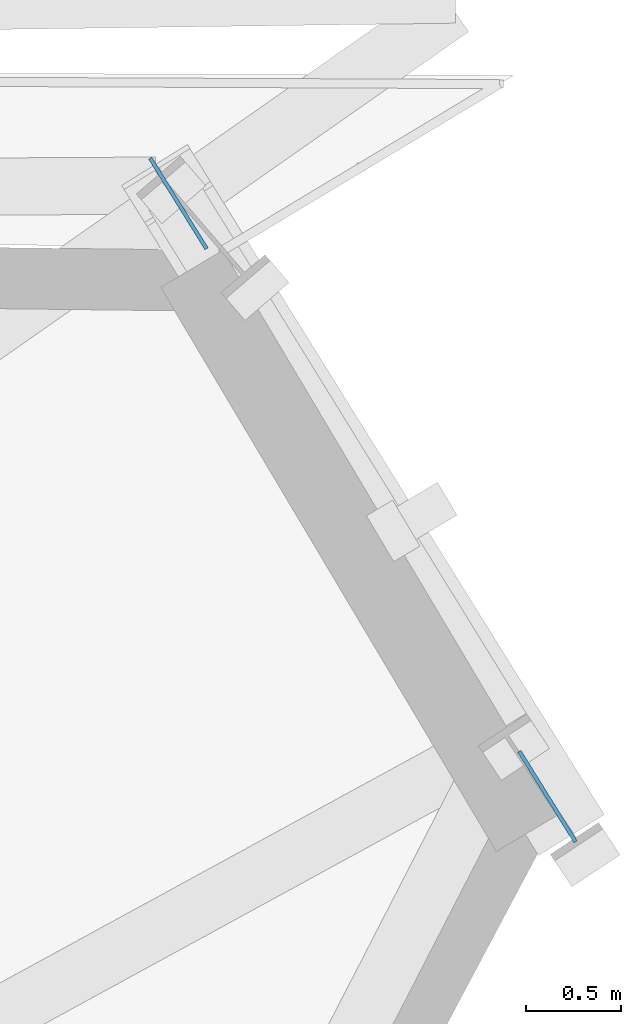
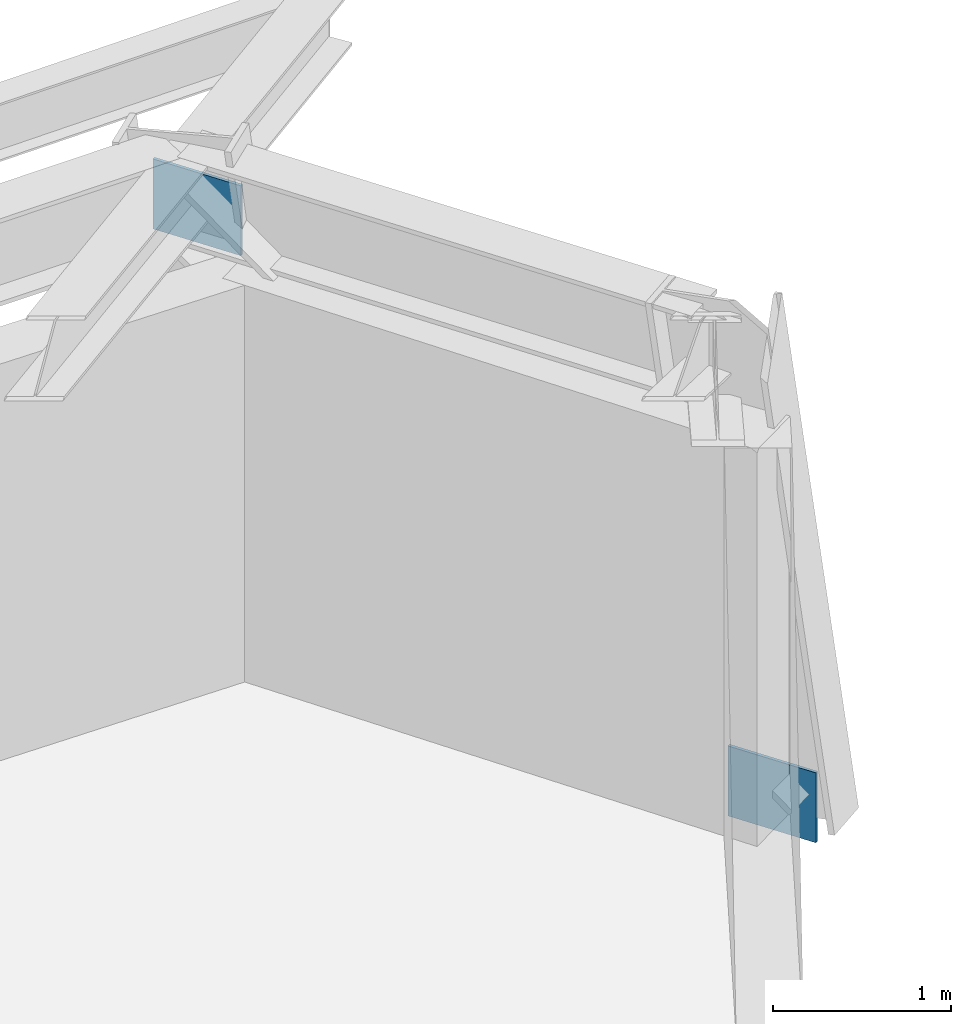
# One storey, part 8 of 15: 2 plates.
"""IFC4 building model written with IfcOpenShell, lengths in metres."""

from ifc_helpers import new_model, si_unit, direction, frame, origin, origin_2d, place, context, subcontext, project, spatial, rectangle, extrude, source, transform, mapped, material, type_object, element, save


model = new_model("IFC4")

# Units and contexts
model_context = context("Model", 3, precision=1e-05, world=origin(), true_north=direction((0.0, 1.0)))
body_context = subcontext(model_context, "Body", "Model", "MODEL_VIEW")
ifc_project = project(units=[si_unit("LENGTHUNIT", "METRE"), si_unit("AREAUNIT", "SQUARE_METRE"), si_unit("VOLUMEUNIT", "CUBIC_METRE"), si_unit("PLANEANGLEUNIT", "RADIAN"), si_unit("MASSUNIT", "GRAM", prefix="KILO")], contexts=[model_context])

# Site, building, storey
site_placement = place(None, origin())
site = spatial("IfcSite", under=ifc_project, at=site_placement, CompositionType="ELEMENT")
building_placement = place(site_placement, origin())
building = spatial("IfcBuilding", under=site, at=building_placement, Name="Olszyna Solenne Hotel", CompositionType="ELEMENT")
storey_placement = place(building_placement, frame((0.0, 0.0, 160.800048828125)))
storey = spatial("IfcBuildingStorey", under=building, at=storey_placement, Name="L42", CompositionType="ELEMENT", Elevation=160.800048828125)

# Plates
ifc_material = material(Name="Steel S355J2", Category="steel")
plate_type = type_object("IfcPlateType", Name="GP-ND2", PredefinedType="USERDEFINED", material=ifc_material)
shared_shape = source(origin(), body_context, "Body", "SweptSolid", [
    extrude(rectangle(XDim=0.56005859375, YDim=0.02001953125, at=origin_2d()), origin(), (0.0, 0.0, 1.0), 0.47998046875),
])
for number, where, z_axis, x_axis, name in (
    (1, (64.00537109375, 40.38037109375, -0.14453125), (0.0, 0.0, 1.0), (-0.528290153162, 0.849063904586, 0.0), "Brace end connection gusset plate GP-ND2 EP-BR-L42-1-1"),
    (2, (62.069580078125, 43.49169921875, 2.674560546875), (0.0, 0.0, 1.0), (-0.528290153162, 0.849063904586, 0.0), "Brace end connection gusset plate GP-ND2 EP-BR-L42-1-2"),
):
    element("IfcPlate", number, at=place(storey_placement, frame(where, z_axis=z_axis, x_axis=x_axis)), inside=storey, type_object=plate_type, Name=name, ObjectType="GUSSET_PLATE", PredefinedType="USERDEFINED", context=body_context, shape_type="MappedRepresentation", body=[
        mapped(shared_shape, transform((0.0, 0.0, 0.0), x_axis=(1.0, 0.0, 0.0), y_axis=(0.0, 1.0, 0.0), z_axis=(0.0, 0.0, 1.0), scale=1.0)),
    ])

save(model, "model.ifc")
